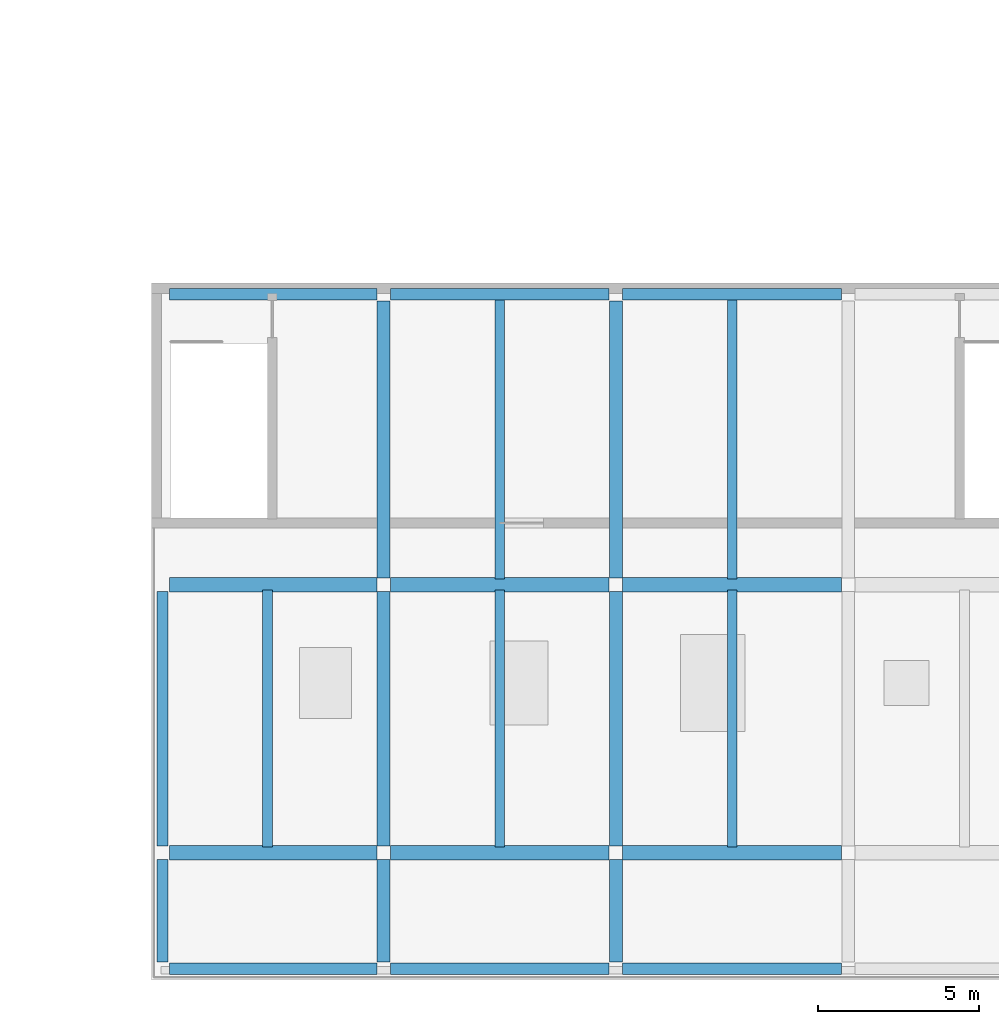
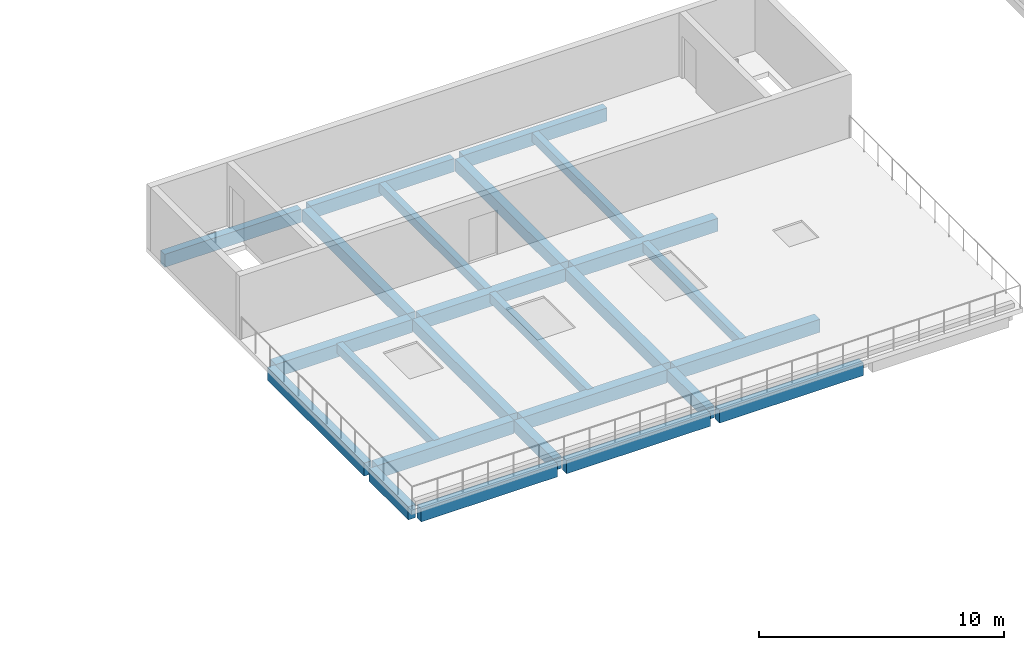
# One storey, part 8 of 56: 25 beams.
"""IFC4 building model written with IfcOpenShell, lengths in metres."""

from ifc_helpers import new_model, si_unit, derived_unit, direction, frame, origin, origin_2d, place, context, subcontext, project, spatial, rectangle, extrude, material, material_profile, profile_set, type_object, element, save


model = new_model("IFC4")

# Units and contexts
model_context = context("Model", 3, precision=1e-05, world=origin(), true_north=direction((0.0, 1.0)))
body_context = subcontext(model_context, "Body", "Model", "MODEL_VIEW")
ifc_project = project(units=[si_unit("LENGTHUNIT", "METRE"), si_unit("AREAUNIT", "SQUARE_METRE"), si_unit("VOLUMEUNIT", "CUBIC_METRE"), si_unit("PLANEANGLEUNIT", "RADIAN"), si_unit("MASSUNIT", "GRAM", prefix="KILO"), derived_unit("THERMALTRANSMITTANCEUNIT", [(si_unit("MASSUNIT", "GRAM", prefix="KILO"), 1), (si_unit("TIMEUNIT", "SECOND"), -3), (si_unit("THERMODYNAMICTEMPERATUREUNIT", "KELVIN"), -1)])], contexts=[model_context])

# Site, building, storey
site_placement = place(None, origin())
site = spatial("IfcSite", under=ifc_project, at=site_placement, CompositionType="ELEMENT")
building_placement = place(site_placement, origin())
building = spatial("IfcBuilding", under=site, at=building_placement, Name="Ochrekiln Boulevard Commons", CompositionType="ELEMENT")
storey_placement = place(building_placement, frame((0.0, 0.0, 12.074951171875)))
storey = spatial("IfcBuildingStorey", under=building, at=storey_placement, Name="L03", CompositionType="ELEMENT", Elevation=12.074951171875)

# Beams
ifc_material_1 = material(Name="Concrete C35/45", Category="concrete")
ifc_material_profile_1 = material_profile(ifc_material_1, rectangle(XDim=0.39990234375, YDim=0.60009765625, at=origin_2d()), Name="RC-BM-400x600")
ifc_profile_set_1 = profile_set([ifc_material_profile_1], Name="Concrete C35/45")
beam_type_1 = type_object("IfcBeamType", Name="BM-RC-400x600", PredefinedType="BEAM", material=ifc_profile_set_1)
beam_1_placement = place(storey_placement, frame((115.199951171875, 0.56005859375, -0.5400390625), z_axis=(0.0, 1.0, 0.0), x_axis=(-1.0, 0.0, 0.0)))
element("IfcBeam", 1, at=beam_1_placement, inside=storey, type_object=beam_type_1, Name="East Boulevard Shops and Arcade L03 Beam B-4060 Y19", PredefinedType="BEAM", context=body_context, shape_type="SweptSolid", body=[
    extrude(rectangle(XDim=0.39990234375, YDim=0.60009765625, at=origin_2d()), origin(), (0.0, 0.0, 1.0), 3.179931640625),
])
beam_2_placement = place(storey_placement, frame((115.199951171875, 4.159912109375, -0.5400390625), z_axis=(0.0, 1.0, 0.0), x_axis=(-1.0, 0.0, 0.0)))
element("IfcBeam", 2, at=beam_2_placement, inside=storey, type_object=beam_type_1, Name="East Boulevard Shops and Arcade L03 Beam B-4060 Y20", PredefinedType="BEAM", context=body_context, shape_type="SweptSolid", body=[
    extrude(rectangle(XDim=0.39990234375, YDim=0.60009765625, at=origin_2d()), origin(), (0.0, 0.0, 1.0), 7.880126953125),
])
beam_3_placement = place(storey_placement, frame((115.199951171875, 12.4599609375, -0.5400390625), z_axis=(0.0, 1.0, 0.0), x_axis=(-1.0, 0.0, 0.0)))
element("IfcBeam", 3, at=beam_3_placement, inside=storey, type_object=beam_type_1, Name="East Boulevard Shops and Arcade L03 Beam B-4060 Y21", PredefinedType="BEAM", context=body_context, shape_type="SweptSolid", body=[
    extrude(rectangle(XDim=0.39990234375, YDim=0.60009765625, at=origin_2d()), origin(), (0.0, 0.0, 1.0), 8.580078125),
])
beam_4_placement = place(storey_placement, frame((122.39990234375, 0.56005859375, -0.5400390625), z_axis=(0.0, 1.0, 0.0), x_axis=(-1.0, 0.0, 0.0)))
element("IfcBeam", 4, at=beam_4_placement, inside=storey, type_object=beam_type_1, Name="East Boulevard Shops and Arcade L03 Beam B-4060 Y22", PredefinedType="BEAM", context=body_context, shape_type="SweptSolid", body=[
    extrude(rectangle(XDim=0.39990234375, YDim=0.60009765625, at=origin_2d()), origin(), (0.0, 0.0, 1.0), 3.179931640625),
])
beam_5_placement = place(storey_placement, frame((122.39990234375, 4.159912109375, -0.5400390625), z_axis=(0.0, 1.0, 0.0), x_axis=(-1.0, 0.0, 0.0)))
element("IfcBeam", 5, at=beam_5_placement, inside=storey, type_object=beam_type_1, Name="East Boulevard Shops and Arcade L03 Beam B-4060 Y23", PredefinedType="BEAM", context=body_context, shape_type="SweptSolid", body=[
    extrude(rectangle(XDim=0.39990234375, YDim=0.60009765625, at=origin_2d()), origin(), (0.0, 0.0, 1.0), 7.880126953125),
])
beam_6_placement = place(storey_placement, frame((122.39990234375, 12.4599609375, -0.5400390625), z_axis=(0.0, 1.0, 0.0), x_axis=(-1.0, 0.0, 0.0)))
element("IfcBeam", 6, at=beam_6_placement, inside=storey, type_object=beam_type_1, Name="East Boulevard Shops and Arcade L03 Beam B-4060 Y24", PredefinedType="BEAM", context=body_context, shape_type="SweptSolid", body=[
    extrude(rectangle(XDim=0.39990234375, YDim=0.60009765625, at=origin_2d()), origin(), (0.0, 0.0, 1.0), 8.580078125),
])
ifc_material_profile_2 = material_profile(ifc_material_1, rectangle(XDim=0.449951171875, YDim=0.64990234375, at=origin_2d()), Name="RC-BM-450x650")
ifc_profile_set_2 = profile_set([ifc_material_profile_2], Name="Concrete C35/45")
beam_type_2 = type_object("IfcBeamType", Name="BM-RC-450x650", PredefinedType="BEAM", material=ifc_profile_set_2)
beam_7_placement = place(storey_placement, frame((108.56005859375, 3.949951171875, -0.56494140625), z_axis=(1.0, 0.0, 0.0), x_axis=(0.0, 1.0, 0.0)))
element("IfcBeam", 7, at=beam_7_placement, inside=storey, type_object=beam_type_2, Name="East Boulevard Shops and Arcade L03 Beam B-4565 X5", PredefinedType="BEAM", context=body_context, shape_type="SweptSolid", body=[
    extrude(rectangle(XDim=0.449951171875, YDim=0.64990234375, at=origin_2d()), origin(), (0.0, 0.0, 1.0), 6.429931640625),
])
beam_8_placement = place(storey_placement, frame((115.409912109375, 3.949951171875, -0.56494140625), z_axis=(1.0, 0.0, 0.0), x_axis=(0.0, 1.0, 0.0)))
element("IfcBeam", 8, at=beam_8_placement, inside=storey, type_object=beam_type_2, Name="East Boulevard Shops and Arcade L03 Beam B-4565 X6", PredefinedType="BEAM", context=body_context, shape_type="SweptSolid", body=[
    extrude(rectangle(XDim=0.449951171875, YDim=0.64990234375, at=origin_2d()), origin(), (0.0, 0.0, 1.0), 6.780029296875),
])
beam_9_placement = place(storey_placement, frame((122.610107421875, 3.949951171875, -0.56494140625), z_axis=(1.0, 0.0, 0.0), x_axis=(0.0, 1.0, 0.0)))
element("IfcBeam", 9, at=beam_9_placement, inside=storey, type_object=beam_type_2, Name="East Boulevard Shops and Arcade L03 Beam B-4565 X7", PredefinedType="BEAM", context=body_context, shape_type="SweptSolid", body=[
    extrude(rectangle(XDim=0.449951171875, YDim=0.64990234375, at=origin_2d()), origin(), (0.0, 0.0, 1.0), 6.77978515625),
])
beam_10_placement = place(storey_placement, frame((108.56005859375, 12.25, -0.56494140625), z_axis=(1.0, 0.0, 0.0), x_axis=(0.0, 1.0, 0.0)))
element("IfcBeam", 10, at=beam_10_placement, inside=storey, type_object=beam_type_2, Name="East Boulevard Shops and Arcade L03 Beam B-4565 X9", PredefinedType="BEAM", context=body_context, shape_type="SweptSolid", body=[
    extrude(rectangle(XDim=0.449951171875, YDim=0.64990234375, at=origin_2d()), origin(), (0.0, 0.0, 1.0), 6.429931640625),
])
beam_11_placement = place(storey_placement, frame((115.409912109375, 12.25, -0.56494140625), z_axis=(1.0, 0.0, 0.0), x_axis=(0.0, 1.0, 0.0)))
element("IfcBeam", 11, at=beam_11_placement, inside=storey, type_object=beam_type_2, Name="East Boulevard Shops and Arcade L03 Beam B-4565 X10", PredefinedType="BEAM", context=body_context, shape_type="SweptSolid", body=[
    extrude(rectangle(XDim=0.449951171875, YDim=0.64990234375, at=origin_2d()), origin(), (0.0, 0.0, 1.0), 6.780029296875),
])
beam_12_placement = place(storey_placement, frame((122.610107421875, 12.25, -0.56494140625), z_axis=(1.0, 0.0, 0.0), x_axis=(0.0, 1.0, 0.0)))
element("IfcBeam", 12, at=beam_12_placement, inside=storey, type_object=beam_type_2, Name="East Boulevard Shops and Arcade L03 Beam B-4565 X11", PredefinedType="BEAM", context=body_context, shape_type="SweptSolid", body=[
    extrude(rectangle(XDim=0.449951171875, YDim=0.64990234375, at=origin_2d()), origin(), (0.0, 0.0, 1.0), 6.77978515625),
])
ifc_material_profile_3 = material_profile(ifc_material_1, rectangle(XDim=0.300048828125, YDim=0.449951171875, at=origin_2d()), Name="RC-JST-300x450")
ifc_profile_set_3 = profile_set([ifc_material_profile_3], Name="Concrete C35/45")
beam_type_3 = type_object("IfcBeamType", Name="JST-RC-300x450", PredefinedType="JOIST", material=ifc_profile_set_3)
for number, where, z_axis, x_axis, name in (
    (13, (111.60009765625, 4.1201171875, -0.46484375), (0.0, 1.0, 0.0), (-1.0, 0.0, 0.0), "Boulevard Arcade L03 Floor Joist J-3045 (31)"),
    (14, (118.800048828125, 4.1201171875, -0.46484375), (0.0, 1.0, 0.0), (-1.0, 0.0, 0.0), "Boulevard Arcade L03 Floor Joist J-3045 (32)"),
):
    element("IfcBeam", number, at=place(storey_placement, frame(where, z_axis=z_axis, x_axis=x_axis)), inside=storey, type_object=beam_type_3, Name=name, PredefinedType="JOIST", context=body_context, shape_type="SweptSolid", body=[
        extrude(rectangle(XDim=0.300048828125, YDim=0.449951171875, at=origin_2d()), origin(), (0.0, 0.0, 1.0), 7.9599609375),
    ])
beam_13_placement = place(storey_placement, frame((118.800048828125, 12.419921875, -0.46484375), z_axis=(0.0, 1.0, 0.0), x_axis=(-1.0, 0.0, 0.0)))
element("IfcBeam", 15, at=beam_13_placement, inside=storey, type_object=beam_type_3, Name="Boulevard Arcade L03 Floor Joist J-3045 (33)", PredefinedType="JOIST", context=body_context, shape_type="SweptSolid", body=[
    extrude(rectangle(XDim=0.300048828125, YDim=0.449951171875, at=origin_2d()), origin(), (0.0, 0.0, 1.0), 8.66015625),
])
beam_14_placement = place(storey_placement, frame((126.0, 4.1201171875, -0.46484375), z_axis=(0.0, 1.0, 0.0), x_axis=(-1.0, 0.0, 0.0)))
element("IfcBeam", 16, at=beam_14_placement, inside=storey, type_object=beam_type_3, Name="Boulevard Arcade L03 Floor Joist J-3045 (34)", PredefinedType="JOIST", context=body_context, shape_type="SweptSolid", body=[
    extrude(rectangle(XDim=0.300048828125, YDim=0.449951171875, at=origin_2d()), origin(), (0.0, 0.0, 1.0), 7.9599609375),
])
beam_15_placement = place(storey_placement, frame((126.0, 12.419921875, -0.46484375), z_axis=(0.0, 1.0, 0.0), x_axis=(-1.0, 0.0, 0.0)))
element("IfcBeam", 17, at=beam_15_placement, inside=storey, type_object=beam_type_3, Name="Boulevard Arcade L03 Floor Joist J-3045 (35)", PredefinedType="JOIST", context=body_context, shape_type="SweptSolid", body=[
    extrude(rectangle(XDim=0.300048828125, YDim=0.449951171875, at=origin_2d()), origin(), (0.0, 0.0, 1.0), 8.66015625),
])
ifc_material_2 = material(Name="Concrete C40/50", Category="concrete")
ifc_material_profile_4 = material_profile(ifc_material_2, rectangle(XDim=0.35009765625, YDim=0.64990234375, at=origin_2d()), Name="RC-SPN-350x650")
ifc_profile_set_4 = profile_set([ifc_material_profile_4], Name="Concrete C40/50")
beam_type_4 = type_object("IfcBeamType", Name="SPN-RC-350x650", PredefinedType="SPANDREL", material=ifc_profile_set_4)
beam_16_placement = place(storey_placement, frame((108.56005859375, 0.35009765625, -0.56494140625), z_axis=(1.0, 0.0, 0.0), x_axis=(0.0, 1.0, 0.0)))
element("IfcBeam", 18, at=beam_16_placement, inside=storey, type_object=beam_type_4, Name="East Boulevard Shops and Arcade L03 Beam SP-3565 X1", PredefinedType="SPANDREL", context=body_context, shape_type="SweptSolid", body=[
    extrude(rectangle(XDim=0.35009765625, YDim=0.64990234375, at=origin_2d()), origin(), (0.0, 0.0, 1.0), 6.429931640625),
])
beam_17_placement = place(storey_placement, frame((115.409912109375, 0.35009765625, -0.56494140625), z_axis=(1.0, 0.0, 0.0), x_axis=(0.0, 1.0, 0.0)))
element("IfcBeam", 19, at=beam_17_placement, inside=storey, type_object=beam_type_4, Name="East Boulevard Shops and Arcade L03 Beam SP-3565 X2", PredefinedType="SPANDREL", context=body_context, shape_type="SweptSolid", body=[
    extrude(rectangle(XDim=0.35009765625, YDim=0.64990234375, at=origin_2d()), origin(), (0.0, 0.0, 1.0), 6.780029296875),
])
beam_18_placement = place(storey_placement, frame((122.610107421875, 0.35009765625, -0.56494140625), z_axis=(1.0, 0.0, 0.0), x_axis=(0.0, 1.0, 0.0)))
element("IfcBeam", 20, at=beam_18_placement, inside=storey, type_object=beam_type_4, Name="East Boulevard Shops and Arcade L03 Beam SP-3565 X3", PredefinedType="SPANDREL", context=body_context, shape_type="SweptSolid", body=[
    extrude(rectangle(XDim=0.35009765625, YDim=0.64990234375, at=origin_2d()), origin(), (0.0, 0.0, 1.0), 6.77978515625),
])
beam_19_placement = place(storey_placement, frame((108.56005859375, 21.25, -0.56494140625), z_axis=(1.0, 0.0, 0.0), x_axis=(0.0, 1.0, 0.0)))
element("IfcBeam", 21, at=beam_19_placement, inside=storey, type_object=beam_type_4, Name="East Boulevard Shops and Arcade L03 Beam SP-3565 X13", PredefinedType="SPANDREL", context=body_context, shape_type="SweptSolid", body=[
    extrude(rectangle(XDim=0.35009765625, YDim=0.64990234375, at=origin_2d()), origin(), (0.0, 0.0, 1.0), 6.429931640625),
])
beam_20_placement = place(storey_placement, frame((115.409912109375, 21.25, -0.56494140625), z_axis=(1.0, 0.0, 0.0), x_axis=(0.0, 1.0, 0.0)))
element("IfcBeam", 22, at=beam_20_placement, inside=storey, type_object=beam_type_4, Name="East Boulevard Shops and Arcade L03 Beam SP-3565 X14", PredefinedType="SPANDREL", context=body_context, shape_type="SweptSolid", body=[
    extrude(rectangle(XDim=0.35009765625, YDim=0.64990234375, at=origin_2d()), origin(), (0.0, 0.0, 1.0), 6.780029296875),
])
beam_21_placement = place(storey_placement, frame((122.610107421875, 21.25, -0.56494140625), z_axis=(1.0, 0.0, 0.0), x_axis=(0.0, 1.0, 0.0)))
element("IfcBeam", 23, at=beam_21_placement, inside=storey, type_object=beam_type_4, Name="East Boulevard Shops and Arcade L03 Beam SP-3565 X15", PredefinedType="SPANDREL", context=body_context, shape_type="SweptSolid", body=[
    extrude(rectangle(XDim=0.35009765625, YDim=0.64990234375, at=origin_2d()), origin(), (0.0, 0.0, 1.0), 6.77978515625),
])
beam_22_placement = place(storey_placement, frame((108.35009765625, 0.56005859375, -0.56494140625), z_axis=(0.0, 1.0, 0.0), x_axis=(-1.0, 0.0, 0.0)))
element("IfcBeam", 24, at=beam_22_placement, inside=storey, type_object=beam_type_4, Name="East Boulevard Shops and Arcade L03 Beam SP-3565 Y17", PredefinedType="SPANDREL", context=body_context, shape_type="SweptSolid", body=[
    extrude(rectangle(XDim=0.35009765625, YDim=0.64990234375, at=origin_2d()), origin(), (0.0, 0.0, 1.0), 3.179931640625),
])
beam_23_placement = place(storey_placement, frame((108.35009765625, 4.159912109375, -0.56494140625), z_axis=(0.0, 1.0, 0.0), x_axis=(-1.0, 0.0, 0.0)))
element("IfcBeam", 25, at=beam_23_placement, inside=storey, type_object=beam_type_4, Name="East Boulevard Shops and Arcade L03 Beam SP-3565 Y18", PredefinedType="SPANDREL", context=body_context, shape_type="SweptSolid", body=[
    extrude(rectangle(XDim=0.35009765625, YDim=0.64990234375, at=origin_2d()), origin(), (0.0, 0.0, 1.0), 7.880126953125),
])

save(model, "model.ifc")
